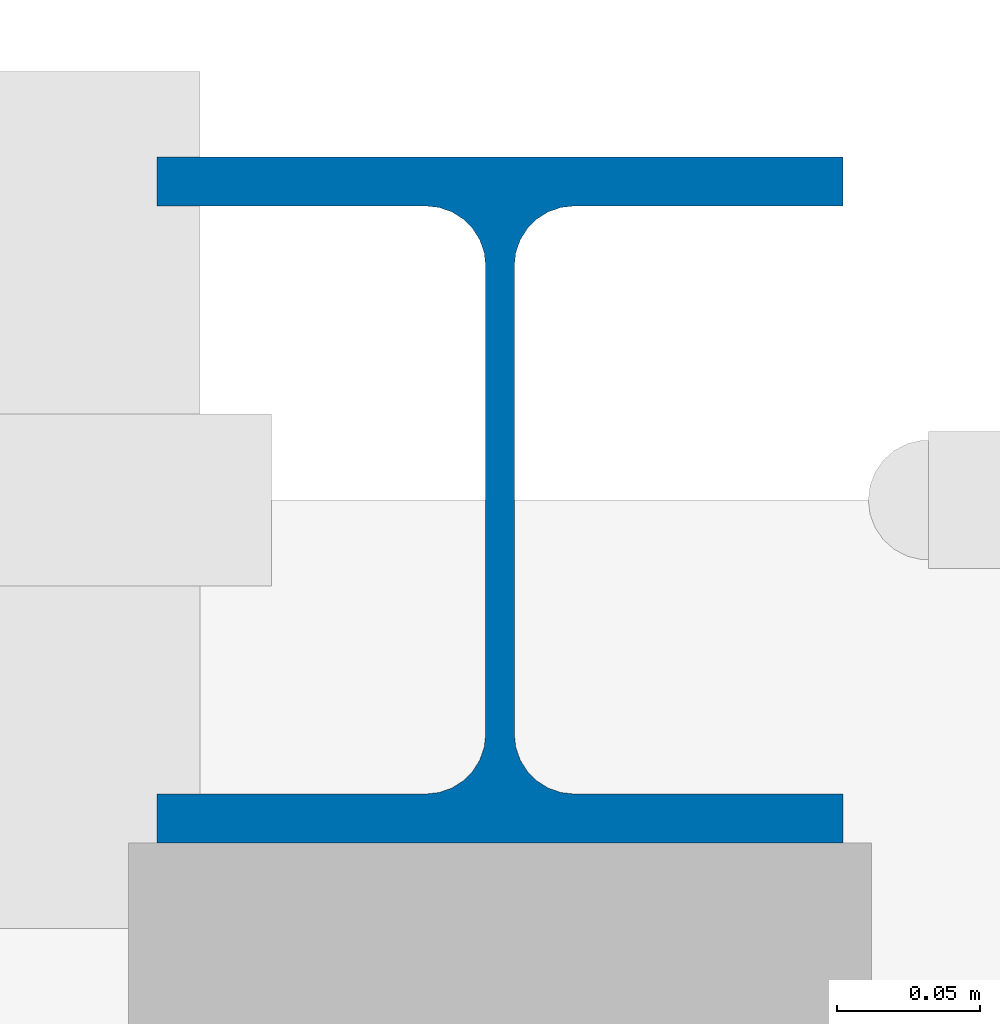
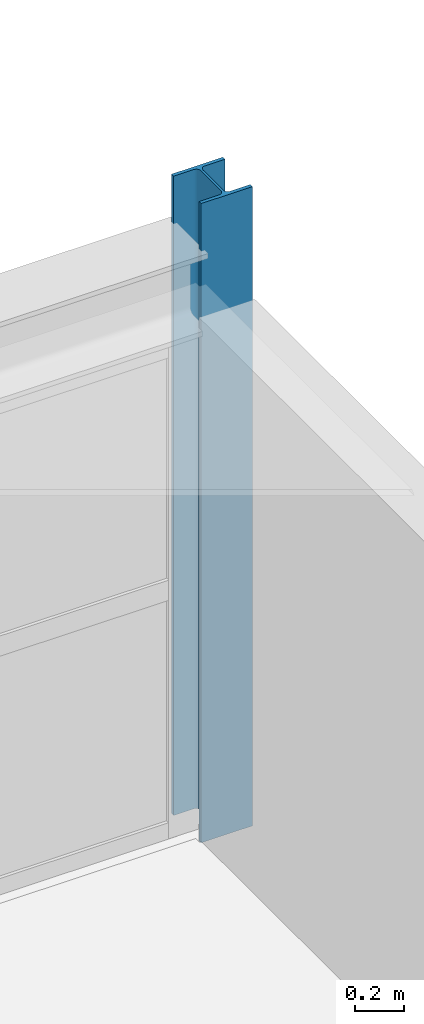
# One storey, part 13 of 137: 1 column.
"""IFC4 building model written with IfcOpenShell, lengths in metres."""

from ifc_helpers import new_model, si_unit, direction, frame, origin, origin_2d, place, context, subcontext, project, spatial, i_section, extrude, material, material_profile, profile_set, type_object, element, save


model = new_model("IFC4")

# Units and contexts
model_context = context("Model", 3, precision=1e-05, world=origin(), true_north=direction((0.0, 1.0)))
body_context = subcontext(model_context, "Body", "Model", "MODEL_VIEW")
ifc_project = project(units=[si_unit("LENGTHUNIT", "METRE"), si_unit("AREAUNIT", "SQUARE_METRE"), si_unit("VOLUMEUNIT", "CUBIC_METRE"), si_unit("PLANEANGLEUNIT", "RADIAN"), si_unit("MASSUNIT", "GRAM", prefix="KILO"), si_unit("POWERUNIT", "WATT"), si_unit("THERMODYNAMICTEMPERATUREUNIT", "KELVIN")], contexts=[model_context])

# Site, building, storey
site_placement = place(None, origin())
site = spatial("IfcSite", under=ifc_project, at=site_placement, CompositionType="ELEMENT")
building_placement = place(site_placement, origin())
building = spatial("IfcBuilding", under=site, at=building_placement, Name="Ruvembo Vaulted Housing Court", CompositionType="ELEMENT")
storey_placement = place(building_placement, frame((0.0, 0.0, 4.5)))
storey = spatial("IfcBuildingStorey", under=building, at=storey_placement, Name="L01", CompositionType="ELEMENT", Elevation=4.5)

# Column
ifc_material = material(Name="Steel S355J2", Category="steel")
ifc_material_profile = material_profile(ifc_material, i_section(OverallWidth=0.239990234375, OverallDepth=0.239990234375, WebThickness=0.010009765625, FlangeThickness=0.01708984375, FilletRadius=0.02099609375, at=origin_2d()), Name="HEB 240")
ifc_profile_set = profile_set([ifc_material_profile], Name="Steel S355J2")
column_type = type_object("IfcColumnType", Name="COL-ST-HEB240", PredefinedType="COLUMN", material=ifc_profile_set)
column_placement = place(storey_placement, frame((168.0, 36.0, 0.0), z_axis=(0.0, 0.0, 1.0), x_axis=(1.0, 0.0, 0.0)))
element("IfcColumn", 1, at=column_placement, inside=storey, type_object=column_type, Name="L01 Column (168,36)", PredefinedType="COLUMN", context=body_context, shape_type="SweptSolid", body=[
    extrude(i_section(OverallWidth=0.239990234375, OverallDepth=0.239990234375, WebThickness=0.010009765625, FlangeThickness=0.01708984375, FilletRadius=0.02099609375, at=origin_2d()), origin(), (0.0, 0.0, 1.0), 3.159912109375),
])

save(model, "model.ifc")
